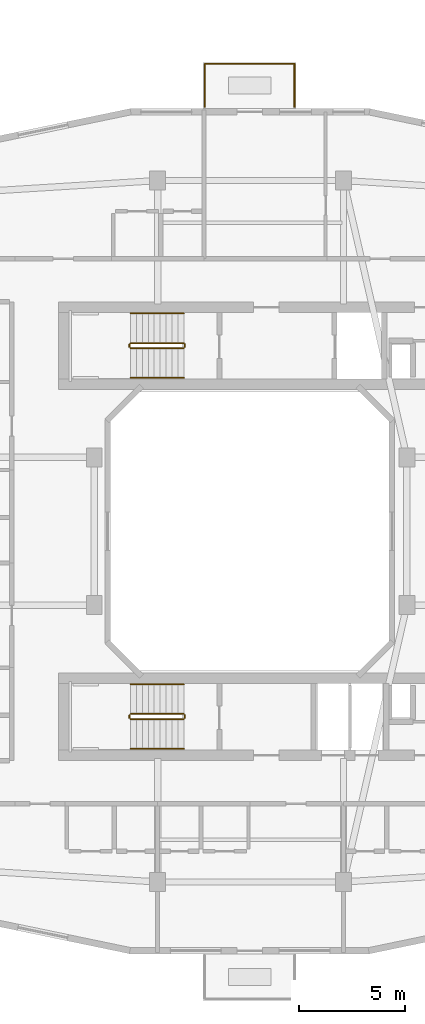
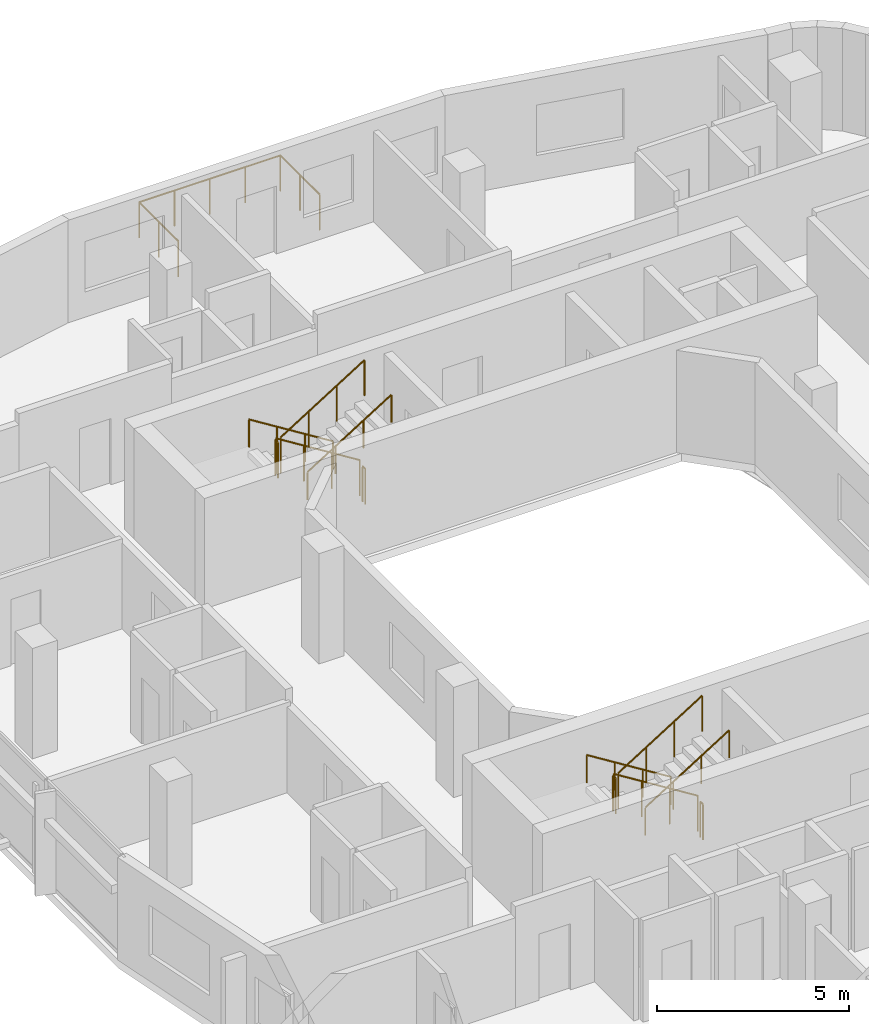
# One storey, part 22 of 22: 15 railings.
"""IFC4 building model written with IfcOpenShell, lengths in metres."""

from ifc_helpers import new_model, si_unit, derived_unit, direction, frame, origin, origin_2d, place, context, subcontext, project, spatial, circle, extrude, material, type_object, element, save


model = new_model("IFC4")

# Units and contexts
model_context = context("Model", 3, precision=1e-05, world=origin(), true_north=direction((0.0, 1.0)))
body_context = subcontext(model_context, "Body", "Model", "MODEL_VIEW")
ifc_project = project(units=[si_unit("LENGTHUNIT", "METRE"), si_unit("AREAUNIT", "SQUARE_METRE"), si_unit("VOLUMEUNIT", "CUBIC_METRE"), si_unit("PLANEANGLEUNIT", "RADIAN"), si_unit("MASSUNIT", "GRAM", prefix="KILO"), derived_unit("THERMALTRANSMITTANCEUNIT", [(si_unit("POWERUNIT", "WATT"), 1), (si_unit("LENGTHUNIT", "METRE"), -2), (si_unit("THERMODYNAMICTEMPERATUREUNIT", "KELVIN"), -1)])], contexts=[model_context])

# Site, building, storey
site_placement = place(None, origin())
site = spatial("IfcSite", under=ifc_project, at=site_placement, CompositionType="ELEMENT")
building_placement = place(site_placement, origin())
building = spatial("IfcBuilding", under=site, at=building_placement, Name="Kivonza Crest Hotel", CompositionType="ELEMENT")
storey_placement = place(building_placement, frame((0.0, 0.0, 59.0)))
storey = spatial("IfcBuildingStorey", under=building, at=storey_placement, Name="L15", CompositionType="ELEMENT", Elevation=59.0)

# Railings
ifc_material_1 = material(Name="Brushed stainless steel handrail", Category="steel")
railing_type_1 = type_object("IfcRailingType", Name="RL-HAND-900", PredefinedType="HANDRAIL", material=ifc_material_1)
railing_1_placement = place(storey_placement, frame((73.840087890625, 35.31005859375, 0.175048828125)))
element("IfcRailing", 1, at=railing_1_placement, inside=storey, type_object=railing_type_1, Name="L15 ST-T2-N stair handrail 1", PredefinedType="HANDRAIL", context=body_context, shape_type="SweptSolid", body=[
    extrude(circle(Radius=0.02392578125, at=origin_2d()), frame((0.0, 0.0, 0.8759765625), z_axis=(-0.848007534815, 0.0, 0.529984170421), x_axis=(0.0, -1.0, 0.0)), (0.0, 0.0, 1.0), 2.9716796875),
    extrude(circle(Radius=0.02099609375, at=origin_2d()), origin(), (0.0, 0.0, 1.0), 0.851806640625),
    extrude(circle(Radius=0.02099609375, at=origin_2d()), frame((-0.840087890625, 0.0, 0.52490234375)), (0.0, 0.0, 1.0), 0.851806640625),
    extrude(circle(Radius=0.02099609375, at=origin_2d()), frame((-1.679931640625, 0.0, 1.050048828125)), (0.0, 0.0, 1.0), 0.851806640625),
    extrude(circle(Radius=0.02099609375, at=origin_2d()), frame((-2.52001953125, 0.0, 1.574951171875)), (0.0, 0.0, 1.0), 0.851806640625),
])
railing_2_placement = place(storey_placement, frame((71.320068359375, 32.27001953125, 1.925048828125)))
element("IfcRailing", 2, at=railing_2_placement, inside=storey, type_object=railing_type_1, Name="L15 ST-T2-N stair handrail 2", PredefinedType="HANDRAIL", context=body_context, shape_type="SweptSolid", body=[
    extrude(circle(Radius=0.02392578125, at=origin_2d()), frame((0.0, 0.0, 0.8759765625), z_axis=(0.848007534815, 0.0, 0.529984170421), x_axis=(0.0, 1.0, 0.0)), (0.0, 0.0, 1.0), 2.9716796875),
    extrude(circle(Radius=0.02099609375, at=origin_2d()), origin(), (0.0, 0.0, 1.0), 0.851806640625),
    extrude(circle(Radius=0.02099609375, at=origin_2d()), frame((0.840087890625, 0.0, 0.52490234375)), (0.0, 0.0, 1.0), 0.851806640625),
    extrude(circle(Radius=0.02099609375, at=origin_2d()), frame((1.679931640625, 0.0, 1.050048828125)), (0.0, 0.0, 1.0), 0.851806640625),
    extrude(circle(Radius=0.02099609375, at=origin_2d()), frame((2.52001953125, 0.0, 1.574951171875)), (0.0, 0.0, 1.0), 0.851806640625),
])
railing_3_placement = place(storey_placement, frame((73.840087890625, 17.75, 0.175048828125)))
element("IfcRailing", 3, at=railing_3_placement, inside=storey, type_object=railing_type_1, Name="L15 ST-T2-S stair handrail 1", PredefinedType="HANDRAIL", context=body_context, shape_type="SweptSolid", body=[
    extrude(circle(Radius=0.02392578125, at=origin_2d()), frame((0.0, 0.0, 0.8759765625), z_axis=(-0.848007534815, 0.0, 0.529984170421), x_axis=(0.0, -1.0, 0.0)), (0.0, 0.0, 1.0), 2.9716796875),
    extrude(circle(Radius=0.02099609375, at=origin_2d()), origin(), (0.0, 0.0, 1.0), 0.851806640625),
    extrude(circle(Radius=0.02099609375, at=origin_2d()), frame((-0.840087890625, 0.0, 0.52490234375)), (0.0, 0.0, 1.0), 0.851806640625),
    extrude(circle(Radius=0.02099609375, at=origin_2d()), frame((-1.679931640625, 0.0, 1.050048828125)), (0.0, 0.0, 1.0), 0.851806640625),
    extrude(circle(Radius=0.02099609375, at=origin_2d()), frame((-2.52001953125, 0.0, 1.574951171875)), (0.0, 0.0, 1.0), 0.851806640625),
])
railing_4_placement = place(storey_placement, frame((71.320068359375, 14.7099609375, 1.925048828125)))
element("IfcRailing", 4, at=railing_4_placement, inside=storey, type_object=railing_type_1, Name="L15 ST-T2-S stair handrail 2", PredefinedType="HANDRAIL", context=body_context, shape_type="SweptSolid", body=[
    extrude(circle(Radius=0.02392578125, at=origin_2d()), frame((0.0, 0.0, 0.8759765625), z_axis=(0.848007534815, 0.0, 0.529984170421), x_axis=(0.0, 1.0, 0.0)), (0.0, 0.0, 1.0), 2.9716796875),
    extrude(circle(Radius=0.02099609375, at=origin_2d()), origin(), (0.0, 0.0, 1.0), 0.851806640625),
    extrude(circle(Radius=0.02099609375, at=origin_2d()), frame((0.840087890625, 0.0, 0.52490234375)), (0.0, 0.0, 1.0), 0.851806640625),
    extrude(circle(Radius=0.02099609375, at=origin_2d()), frame((1.679931640625, 0.0, 1.050048828125)), (0.0, 0.0, 1.0), 0.851806640625),
    extrude(circle(Radius=0.02099609375, at=origin_2d()), frame((2.52001953125, 0.0, 1.574951171875)), (0.0, 0.0, 1.0), 0.851806640625),
])
ifc_material_2 = material(Name="Painted steel balustrade", Category="steel")
railing_type_2 = type_object("IfcRailingType", Name="RL-STAIR-1150", PredefinedType="BALUSTRADE", material=ifc_material_2)
railing_5_placement = place(storey_placement, frame((73.840087890625, 33.909912109375, 0.175048828125)))
element("IfcRailing", 5, at=railing_5_placement, inside=storey, type_object=railing_type_2, Name="L15 ST-T2-N stair guard 1", PredefinedType="BALUSTRADE", context=body_context, shape_type="SweptSolid", body=[
    extrude(circle(Radius=0.02392578125, at=origin_2d()), frame((0.0, 0.0, 1.1259765625), z_axis=(-0.848007534815, 0.0, 0.529984170421), x_axis=(0.0, -1.0, 0.0)), (0.0, 0.0, 1.0), 2.9716796875),
    extrude(circle(Radius=0.02099609375, at=origin_2d()), origin(), (0.0, 0.0, 1.0), 1.101806640625),
    extrude(circle(Radius=0.02099609375, at=origin_2d()), frame((-0.840087890625, 0.0, 0.52490234375)), (0.0, 0.0, 1.0), 1.101806640625),
    extrude(circle(Radius=0.02099609375, at=origin_2d()), frame((-1.679931640625, 0.0, 1.050048828125)), (0.0, 0.0, 1.0), 1.101806640625),
    extrude(circle(Radius=0.02099609375, at=origin_2d()), frame((-2.52001953125, 0.0, 1.574951171875)), (0.0, 0.0, 1.0), 1.101806640625),
])
railing_6_placement = place(storey_placement, frame((71.27001953125, 33.860107421875, 1.75)))
element("IfcRailing", 6, at=railing_6_placement, inside=storey, type_object=railing_type_2, Name="L15 ST-T2-N stair guard 2", PredefinedType="BALUSTRADE", context=body_context, shape_type="SweptSolid", body=[
    extrude(circle(Radius=0.02392578125, at=origin_2d()), frame((0.0, 0.0, 1.1259765625), z_axis=(0.0, -1.0, 0.0), x_axis=(1.0, 0.0, 0.0)), (0.0, 0.0, 1.0), 0.14013671875),
    extrude(circle(Radius=0.02099609375, at=origin_2d()), origin(), (0.0, 0.0, 1.0), 1.101806640625),
    extrude(circle(Radius=0.02099609375, at=origin_2d()), frame((0.0, -0.14013671875, 0.0)), (0.0, 0.0, 1.0), 1.101806640625),
])
railing_7_placement = place(storey_placement, frame((71.320068359375, 33.669921875, 1.925048828125)))
element("IfcRailing", 7, at=railing_7_placement, inside=storey, type_object=railing_type_2, Name="L15 ST-T2-N stair guard 3", PredefinedType="BALUSTRADE", context=body_context, shape_type="SweptSolid", body=[
    extrude(circle(Radius=0.02392578125, at=origin_2d()), frame((0.0, 0.0, 1.1259765625), z_axis=(0.848007534815, 0.0, 0.529984170421), x_axis=(0.0, 1.0, 0.0)), (0.0, 0.0, 1.0), 2.9716796875),
    extrude(circle(Radius=0.02099609375, at=origin_2d()), origin(), (0.0, 0.0, 1.0), 1.101806640625),
    extrude(circle(Radius=0.02099609375, at=origin_2d()), frame((0.840087890625, 0.0, 0.52490234375)), (0.0, 0.0, 1.0), 1.101806640625),
    extrude(circle(Radius=0.02099609375, at=origin_2d()), frame((1.679931640625, 0.0, 1.050048828125)), (0.0, 0.0, 1.0), 1.101806640625),
    extrude(circle(Radius=0.02099609375, at=origin_2d()), frame((2.52001953125, 0.0, 1.574951171875)), (0.0, 0.0, 1.0), 1.101806640625),
])
railing_8_placement = place(storey_placement, frame((73.889892578125, 33.860107421875, 0.0)))
element("IfcRailing", 8, at=railing_8_placement, inside=storey, type_object=railing_type_2, Name="L15 ST-T2-N stair guard 4", PredefinedType="BALUSTRADE", context=body_context, shape_type="SweptSolid", body=[
    extrude(circle(Radius=0.02392578125, at=origin_2d()), frame((0.0, 0.0, 1.1259765625), z_axis=(0.0, -1.0, 0.0), x_axis=(1.0, 0.0, 0.0)), (0.0, 0.0, 1.0), 0.14013671875),
    extrude(circle(Radius=0.02099609375, at=origin_2d()), origin(), (0.0, 0.0, 1.0), 1.101806640625),
    extrude(circle(Radius=0.02099609375, at=origin_2d()), frame((0.0, -0.14013671875, 0.0)), (0.0, 0.0, 1.0), 1.101806640625),
])
railing_9_placement = place(storey_placement, frame((73.840087890625, 16.35009765625, 0.175048828125)))
element("IfcRailing", 9, at=railing_9_placement, inside=storey, type_object=railing_type_2, Name="L15 ST-T2-S stair guard 1", PredefinedType="BALUSTRADE", context=body_context, shape_type="SweptSolid", body=[
    extrude(circle(Radius=0.02392578125, at=origin_2d()), frame((0.0, 0.0, 1.1259765625), z_axis=(-0.848007534815, 0.0, 0.529984170421), x_axis=(0.0, -1.0, 0.0)), (0.0, 0.0, 1.0), 2.9716796875),
    extrude(circle(Radius=0.02099609375, at=origin_2d()), origin(), (0.0, 0.0, 1.0), 1.101806640625),
    extrude(circle(Radius=0.02099609375, at=origin_2d()), frame((-0.840087890625, 0.0, 0.52490234375)), (0.0, 0.0, 1.0), 1.101806640625),
    extrude(circle(Radius=0.02099609375, at=origin_2d()), frame((-1.679931640625, 0.0, 1.050048828125)), (0.0, 0.0, 1.0), 1.101806640625),
    extrude(circle(Radius=0.02099609375, at=origin_2d()), frame((-2.52001953125, 0.0, 1.574951171875)), (0.0, 0.0, 1.0), 1.101806640625),
])
railing_10_placement = place(storey_placement, frame((71.27001953125, 16.300048828125, 1.75)))
element("IfcRailing", 10, at=railing_10_placement, inside=storey, type_object=railing_type_2, Name="L15 ST-T2-S stair guard 2", PredefinedType="BALUSTRADE", context=body_context, shape_type="SweptSolid", body=[
    extrude(circle(Radius=0.02392578125, at=origin_2d()), frame((0.0, 0.0, 1.1259765625), z_axis=(0.0, -1.0, 0.0), x_axis=(1.0, 0.0, 0.0)), (0.0, 0.0, 1.0), 0.14013671875),
    extrude(circle(Radius=0.02099609375, at=origin_2d()), origin(), (0.0, 0.0, 1.0), 1.101806640625),
    extrude(circle(Radius=0.02099609375, at=origin_2d()), frame((0.0, -0.14013671875, 0.0)), (0.0, 0.0, 1.0), 1.101806640625),
])
railing_11_placement = place(storey_placement, frame((71.320068359375, 16.110107421875, 1.925048828125)))
element("IfcRailing", 11, at=railing_11_placement, inside=storey, type_object=railing_type_2, Name="L15 ST-T2-S stair guard 3", PredefinedType="BALUSTRADE", context=body_context, shape_type="SweptSolid", body=[
    extrude(circle(Radius=0.02392578125, at=origin_2d()), frame((0.0, 0.0, 1.1259765625), z_axis=(0.848007534815, 0.0, 0.529984170421), x_axis=(0.0, 1.0, 0.0)), (0.0, 0.0, 1.0), 2.9716796875),
    extrude(circle(Radius=0.02099609375, at=origin_2d()), origin(), (0.0, 0.0, 1.0), 1.101806640625),
    extrude(circle(Radius=0.02099609375, at=origin_2d()), frame((0.840087890625, 0.0, 0.52490234375)), (0.0, 0.0, 1.0), 1.101806640625),
    extrude(circle(Radius=0.02099609375, at=origin_2d()), frame((1.679931640625, 0.0, 1.050048828125)), (0.0, 0.0, 1.0), 1.101806640625),
    extrude(circle(Radius=0.02099609375, at=origin_2d()), frame((2.52001953125, 0.0, 1.574951171875)), (0.0, 0.0, 1.0), 1.101806640625),
])
railing_12_placement = place(storey_placement, frame((73.889892578125, 16.300048828125, 0.0)))
element("IfcRailing", 12, at=railing_12_placement, inside=storey, type_object=railing_type_2, Name="L15 ST-T2-S stair guard 4", PredefinedType="BALUSTRADE", context=body_context, shape_type="SweptSolid", body=[
    extrude(circle(Radius=0.02392578125, at=origin_2d()), frame((0.0, 0.0, 1.1259765625), z_axis=(0.0, -1.0, 0.0), x_axis=(1.0, 0.0, 0.0)), (0.0, 0.0, 1.0), 0.14013671875),
    extrude(circle(Radius=0.02099609375, at=origin_2d()), origin(), (0.0, 0.0, 1.0), 1.101806640625),
    extrude(circle(Radius=0.02099609375, at=origin_2d()), frame((0.0, -0.14013671875, 0.0)), (0.0, 0.0, 1.0), 1.101806640625),
])
ifc_material_3 = material(Name="Laminated glass and stainless steel balustrade", Category="steel")
railing_type_3 = type_object("IfcRailingType", Name="RL-TERR-1150", PredefinedType="BALUSTRADE", material=ifc_material_3)
railing_13_placement = place(storey_placement, frame((74.840087890625, 45.080078125, 0.0)))
element("IfcRailing", 13, at=railing_13_placement, inside=storey, type_object=railing_type_3, Name="L15 T2-L15-SG-NE perimeter safety balustrade 1", PredefinedType="BALUSTRADE", context=body_context, shape_type="SweptSolid", body=[
    extrude(circle(Radius=0.02392578125, at=origin_2d()), frame((0.0, 0.0, 1.1259765625), z_axis=(0.0, 1.0, 0.0), x_axis=(-1.0, 0.0, 0.0)), (0.0, 0.0, 1.0), 2.0400390625),
    extrude(circle(Radius=0.02099609375, at=origin_2d()), origin(), (0.0, 0.0, 1.0), 1.101806640625),
    extrude(circle(Radius=0.02099609375, at=origin_2d()), frame((0.0, 1.02001953125, 0.0)), (0.0, 0.0, 1.0), 1.101806640625),
    extrude(circle(Radius=0.02099609375, at=origin_2d()), frame((0.0, 2.0400390625, 0.0)), (0.0, 0.0, 1.0), 1.101806640625),
])
railing_14_placement = place(storey_placement, frame((74.840087890625, 47.1201171875, 0.0)))
element("IfcRailing", 14, at=railing_14_placement, inside=storey, type_object=railing_type_3, Name="L15 T2-L15-SG-NE perimeter safety balustrade 2", PredefinedType="BALUSTRADE", context=body_context, shape_type="SweptSolid", body=[
    extrude(circle(Radius=0.02392578125, at=origin_2d()), frame((0.0, 0.0, 1.1259765625), z_axis=(1.0, 0.0, 0.0), x_axis=(0.0, 1.0, 0.0)), (0.0, 0.0, 1.0), 4.239990234375),
    extrude(circle(Radius=0.02099609375, at=origin_2d()), origin(), (0.0, 0.0, 1.0), 1.101806640625),
    extrude(circle(Radius=0.02099609375, at=origin_2d()), frame((1.06005859375, 0.0, 0.0)), (0.0, 0.0, 1.0), 1.101806640625),
    extrude(circle(Radius=0.02099609375, at=origin_2d()), frame((2.1201171875, 0.0, 0.0)), (0.0, 0.0, 1.0), 1.101806640625),
    extrude(circle(Radius=0.02099609375, at=origin_2d()), frame((3.179931640625, 0.0, 0.0)), (0.0, 0.0, 1.0), 1.101806640625),
    extrude(circle(Radius=0.02099609375, at=origin_2d()), frame((4.239990234375, 0.0, 0.0)), (0.0, 0.0, 1.0), 1.101806640625),
])
railing_15_placement = place(storey_placement, frame((79.080078125, 47.1201171875, 0.0)))
element("IfcRailing", 15, at=railing_15_placement, inside=storey, type_object=railing_type_3, Name="L15 T2-L15-SG-NE perimeter safety balustrade 3", PredefinedType="BALUSTRADE", context=body_context, shape_type="SweptSolid", body=[
    extrude(circle(Radius=0.02392578125, at=origin_2d()), frame((0.0, 0.0, 1.1259765625), z_axis=(0.0, -1.0, 0.0), x_axis=(1.0, 0.0, 0.0)), (0.0, 0.0, 1.0), 2.0400390625),
    extrude(circle(Radius=0.02099609375, at=origin_2d()), origin(), (0.0, 0.0, 1.0), 1.101806640625),
    extrude(circle(Radius=0.02099609375, at=origin_2d()), frame((0.0, -1.02001953125, 0.0)), (0.0, 0.0, 1.0), 1.101806640625),
    extrude(circle(Radius=0.02099609375, at=origin_2d()), frame((0.0, -2.0400390625, 0.0)), (0.0, 0.0, 1.0), 1.101806640625),
])

save(model, "model.ifc")
